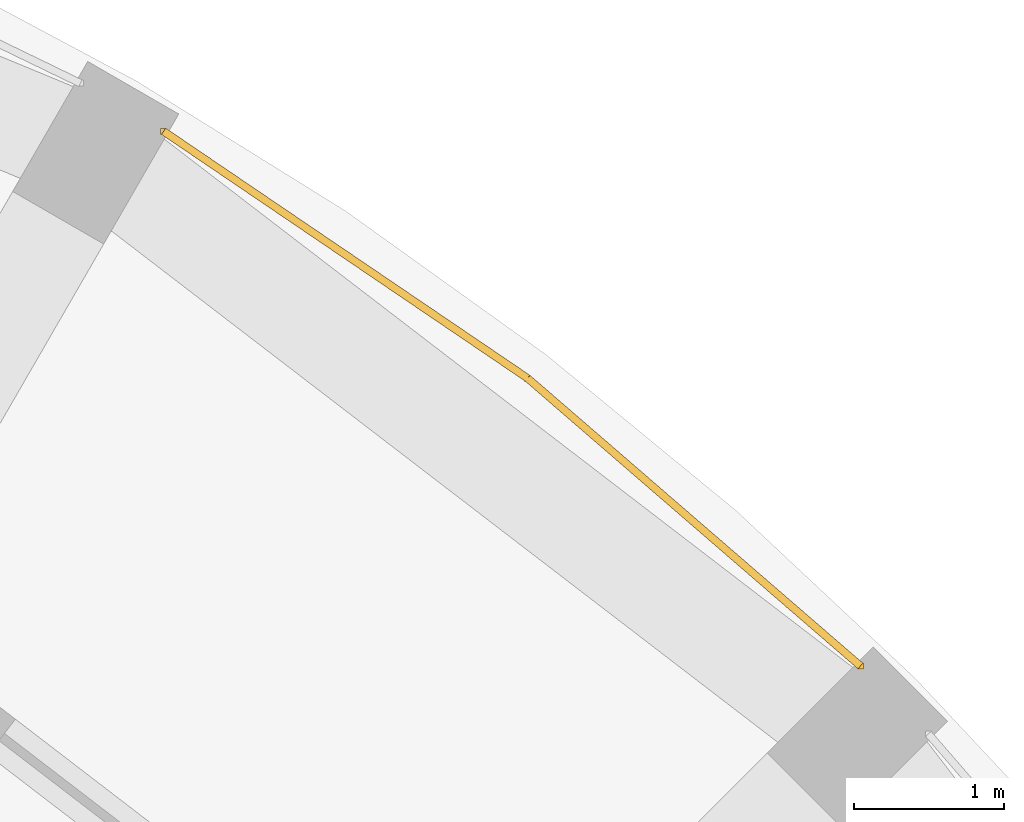
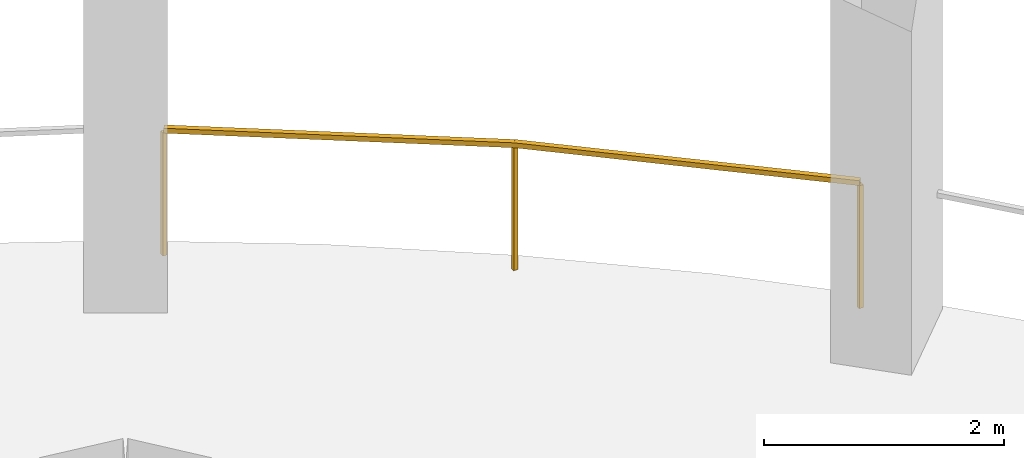
# One storey, part 8 of 8: 1 railing.
"""IFC4 building model written with IfcOpenShell, lengths in metres."""

import ifcopenshell
import ifcopenshell.guid

model = None  # the IFC model being written
_history = None  # IfcOwnerHistory: only IFC2X3 demands one
_inside = {}  # id of a spatial element -> (the spatial element, [elements in it])
_under = {}  # id of a project, library or spatial element -> (it, [spatial elements below it])
_declared = {}  # id of a project -> (the project, [libraries it declares])
_typed = {}  # id of a type object -> (the type object, [elements of that type])
_made_of = {}  # id of a material, layer set ... -> (it, [elements and type objects made of it])


def new_model(schema):
    """Start an empty IFC model of exactly this schema.

    Asked for "IFC4X3", IfcOpenShell would pick the latest addendum, in which some entities
    have other attributes; the version numbers below select the first issue.
    IFC2X3 requires an IfcOwnerHistory on every rooted entity: one is made here for all.
    """
    global model, _history
    if schema == "IFC4X3":
        model = ifcopenshell.file(schema_version=(4, 3, 0, 0))
    else:
        model = ifcopenshell.file(schema=schema)
    _inside.clear()
    _under.clear()
    _declared.clear()
    _typed.clear()
    _made_of.clear()
    _history = None
    if model.schema == "IFC2X3":
        org = make("IfcOrganization", Name="unknown")
        user = make(
            "IfcPersonAndOrganization",
            ThePerson=make("IfcPerson", FamilyName="unknown"),
            TheOrganization=org,
        )
        app = make(
            "IfcApplication",
            ApplicationDeveloper=org,
            Version="unknown",
            ApplicationFullName="unknown",
            ApplicationIdentifier="unknown",
        )
        _history = make(
            "IfcOwnerHistory",
            OwningUser=user,
            OwningApplication=app,
            ChangeAction="ADDED",
            CreationDate=0,
        )
    return model


def make(cls, **values):
    """One entity of the class cls with the attributes given. An attribute that is None is left unset."""
    return model.create_entity(
        cls, **{name: value for name, value in values.items() if value is not None}
    )


def rooted(cls, **values):
    """An entity with a GlobalId (a new one), such as an element, a storey or a relation."""
    return make(cls, GlobalId=ifcopenshell.guid.new(), OwnerHistory=_history, **values)


def si_unit(unit_type, name, prefix=None):
    """IfcSIUnit, for example si_unit("LENGTHUNIT", "METRE", prefix="MILLI")."""
    return make("IfcSIUnit", UnitType=unit_type, Prefix=prefix, Name=name)


def assignment(units):
    """IfcUnitAssignment: the units of a project."""
    return None if units is None else make("IfcUnitAssignment", Units=units)


def point(xyz):
    """IfcCartesianPoint."""
    return None if xyz is None else make("IfcCartesianPoint", Coordinates=xyz)


def direction(xyz):
    """IfcDirection."""
    return None if xyz is None else make("IfcDirection", DirectionRatios=xyz)


def frame(location, z_axis=None, x_axis=None):
    """IfcAxis2Placement3D, a coordinate frame: its origin and axes. An axis left out is left unset."""
    return make(
        "IfcAxis2Placement3D",
        Location=point(location),
        Axis=direction(z_axis),
        RefDirection=direction(x_axis),
    )


def frame_2d(location, x_axis=None):
    """IfcAxis2Placement2D, a coordinate frame in the plane: its origin and x axis."""
    return make(
        "IfcAxis2Placement2D", Location=point(location), RefDirection=direction(x_axis)
    )


def origin():
    """The frame at (0, 0, 0) with its axes left unset."""
    return frame((0.0, 0.0, 0.0))


def origin_2d():
    """The frame at (0, 0) in the plane with its x axis left unset."""
    return frame_2d((0.0, 0.0))


def place(relative_to, where):
    """IfcLocalPlacement: puts the frame where relative to a parent placement (None: the world)."""
    return make(
        "IfcLocalPlacement", PlacementRelTo=relative_to, RelativePlacement=where
    )


def context(
    kind, dimensions, precision=None, world=None, true_north=None, identifier=None
):
    """IfcGeometricRepresentationContext, for example the 3D "Model" context."""
    return make(
        "IfcGeometricRepresentationContext",
        ContextIdentifier=identifier,
        ContextType=kind,
        CoordinateSpaceDimension=dimensions,
        Precision=precision,
        WorldCoordinateSystem=world,
        TrueNorth=true_north,
    )


def subcontext(parent, identifier, kind, view, scale=None):
    """IfcGeometricRepresentationSubContext, for example "Body" below "Model"."""
    return make(
        "IfcGeometricRepresentationSubContext",
        ContextIdentifier=identifier,
        ContextType=kind,
        ParentContext=parent,
        TargetScale=scale,
        TargetView=view,
    )


def project(units=None, contexts=None):
    """IfcProject with its units and contexts."""
    return rooted(
        "IfcProject",
        Name="project",
        RepresentationContexts=contexts,
        UnitsInContext=assignment(units),
    )


def spatial(cls, under=None, at=None, **own):
    """A site, building, storey or space (cls), placed at a placement, below another one or the project."""
    s = rooted(cls, ObjectPlacement=at, **own)
    if under is not None:
        _under.setdefault(under.id(), (under, []))[1].append(s)
    return s


def profile(cls, at=None, kind="AREA", **sizes):
    """A parametric profile (cls). Its sizes go by their IFC names, for example OverallWidth=200.0."""
    return make(cls, ProfileType=kind, Position=at, **sizes)


def rectangle(**sizes):
    """IfcRectangleProfileDef."""
    return profile("IfcRectangleProfileDef", **sizes)


def extrude(swept, where, along, depth):
    """IfcExtrudedAreaSolid: the profile swept, set in the frame where, extruded along a direction by depth."""
    return make(
        "IfcExtrudedAreaSolid",
        SweptArea=swept,
        Position=where,
        ExtrudedDirection=direction(along),
        Depth=depth,
    )


def shape(context_of_items, identifier, shape_type, items):
    """IfcShapeRepresentation: the items that make up one representation, for example the "Body"."""
    return make(
        "IfcShapeRepresentation",
        ContextOfItems=context_of_items,
        RepresentationIdentifier=identifier,
        RepresentationType=shape_type,
        Items=items,
    )


def material(Name=None, Category=None):
    """IfcMaterial."""
    return make("IfcMaterial", Name=Name, Category=Category)


def made_of(thing, what):
    """Note that an element or type object is made of a material, layer set ...; save() writes the relation."""
    if what is not None:
        _made_of.setdefault(what.id(), (what, []))[1].append(thing)
    return thing


def type_object(cls, material=None, **own):
    """A type object (cls), such as IfcWallType, which elements share."""
    return made_of(rooted(cls, **own), material)


def element(
    cls,
    number,
    at=None,
    inside=None,
    cuts=None,
    type_object=None,
    material=None,
    context=None,
    identifier="Body",
    shape_type=None,
    held_by="IfcProductDefinitionShape",
    body=None,
    shapes=None,
    **own,
):
    """One element of the class cls, such as IfcWall. Its Tag is "e" and its number.

    at: its placement. inside: the storey or other place that contains it. cuts: it is an
    opening in that element (IfcRelVoidsElement). A single representation is given by context,
    identifier, shape_type and body (its items); several are given by shapes. held_by: the class
    of the entity that holds the representations. save() writes the other relations.
    """
    e = rooted(cls, Tag="e%d" % number, ObjectPlacement=at, **own)
    if body is not None:
        shapes = [shape(context, identifier, shape_type, body)]
    if shapes is not None:
        e.Representation = make(held_by, Representations=shapes)
    if inside is not None:
        _inside.setdefault(inside.id(), (inside, []))[1].append(e)
    if cuts is not None:
        rooted(
            "IfcRelVoidsElement", RelatingBuildingElement=cuts, RelatedOpeningElement=e
        )
    if type_object is not None:
        _typed.setdefault(type_object.id(), (type_object, []))[1].append(e)
    return made_of(e, material)


def aggregate(whole, parts):
    """IfcRelAggregates: a whole, such as a stair, and the parts it consists of."""
    return rooted("IfcRelAggregates", RelatingObject=whole, RelatedObjects=parts)


def save(model, path):
    """Write the relations noted so far, then the file.

    IfcRelAggregates (storeys below a building ...), IfcRelContainedInSpatialStructure (elements
    in a storey), IfcRelDefinesByType, IfcRelAssociatesMaterial and IfcRelDeclares: one each for
    every whole, place, type object, material and project.
    """
    for whole, parts in _under.values():
        aggregate(whole, parts)
    for where, things in _inside.values():
        rooted(
            "IfcRelContainedInSpatialStructure",
            RelatedElements=things,
            RelatingStructure=where,
        )
    for kind, things in _typed.values():
        rooted("IfcRelDefinesByType", RelatedObjects=things, RelatingType=kind)
    for what, things in _made_of.values():
        rooted("IfcRelAssociatesMaterial", RelatedObjects=things, RelatingMaterial=what)
    for by, libraries in _declared.values():
        rooted("IfcRelDeclares", RelatingContext=by, RelatedDefinitions=libraries)
    model.write(path)


model = new_model("IFC4")

# Units and contexts
model_context = context("Model", 3, precision=1e-05, world=origin(), true_north=direction((0.0, 1.0)))
body_context = subcontext(model_context, "Body", "Model", "MODEL_VIEW")
ifc_project = project(units=[si_unit("LENGTHUNIT", "METRE"), si_unit("AREAUNIT", "SQUARE_METRE"), si_unit("VOLUMEUNIT", "CUBIC_METRE"), si_unit("PLANEANGLEUNIT", "RADIAN"), si_unit("MASSUNIT", "GRAM", prefix="KILO")], contexts=[model_context])

# Site, building, storey
site_placement = place(None, origin())
site = spatial("IfcSite", under=ifc_project, at=site_placement, CompositionType="ELEMENT")
building_placement = place(site_placement, origin())
building = spatial("IfcBuilding", under=site, at=building_placement, Name="Torre Triforio", CompositionType="ELEMENT")
storey_placement = place(building_placement, frame((0.0, 0.0, 139.0)))
storey = spatial("IfcBuildingStorey", under=building, at=storey_placement, Name="L31", CompositionType="ELEMENT", Elevation=139.0)

# Railing
ifc_material = material(Name="Stainless steel AISI 316", Category="steel")
railing_type = type_object("IfcRailingType", Name="Loggia guard 1300", PredefinedType="GUARDRAIL", material=ifc_material)
railing_placement = place(storey_placement, frame((17.34521484375, 17.7978515625, 0.0)))
element("IfcRailing", 1, at=railing_placement, inside=storey, type_object=railing_type, Name="Loggia guard L31 bay 04", PredefinedType="GUARDRAIL", context=body_context, shape_type="SweptSolid", body=[
    extrude(rectangle(XDim=0.050048828125, YDim=0.050048828125, at=origin_2d()), frame((0.0, 0.0, 1.27490234375), z_axis=(-0.756510170049, 0.653981928353, 0.0), x_axis=(-0.653981928353, -0.756510170049, 0.0)), (0.0, 0.0, 1.0), 2.93115234375),
    extrude(rectangle(XDim=0.050048828125, YDim=0.050048828125, at=origin_2d()), frame((-2.217529296875, 1.9169921875, 1.27490234375), z_axis=(-0.827499269821, 0.561466791934, 0.0), x_axis=(-0.561466791934, -0.827499269821, 0.0)), (0.0, 0.0, 1.0), 2.93115234375),
    extrude(rectangle(XDim=0.0400390625, YDim=0.0400390625, at=origin_2d()), origin(), (0.0, 0.0, 1.0), 1.25),
    extrude(rectangle(XDim=0.0400390625, YDim=0.0400390625, at=origin_2d()), frame((-2.217529296875, 1.9169921875, 0.0)), (0.0, 0.0, 1.0), 1.25),
    extrude(rectangle(XDim=0.0400390625, YDim=0.0400390625, at=origin_2d()), frame((-4.64306640625, 3.562744140625, 0.0)), (0.0, 0.0, 1.0), 1.25),
])

save(model, "model.ifc")
